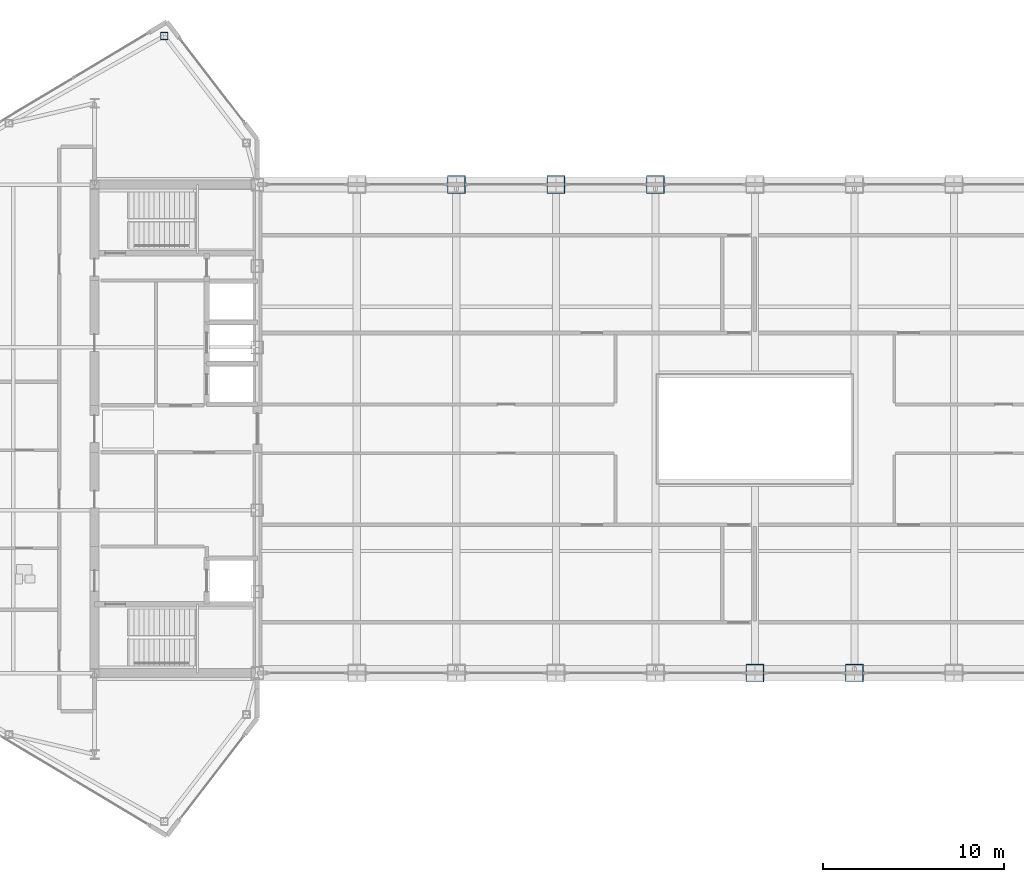
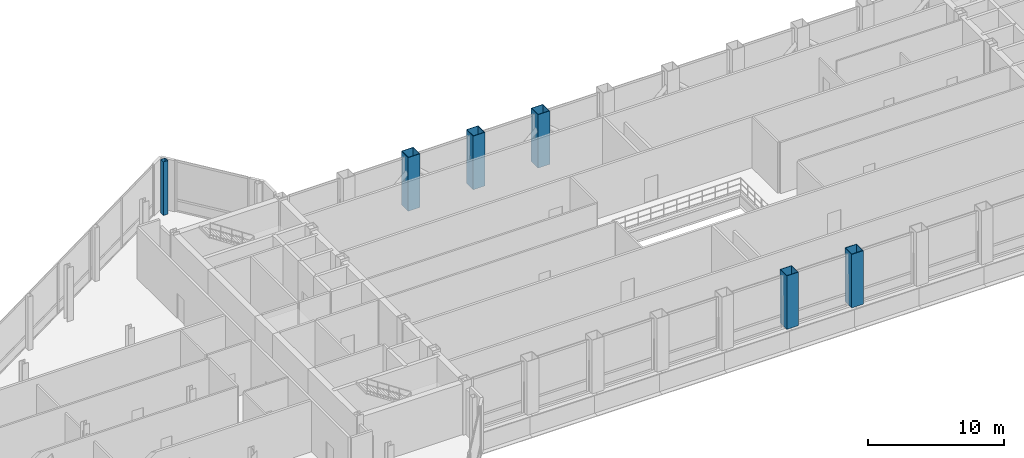
# One storey, part 3 of 30: 6 columns.
"""IFC4 building model written with IfcOpenShell, lengths in metres."""

from ifc_helpers import new_model, si_unit, direction, frame, origin, origin_2d, place, context, subcontext, project, spatial, hollow_rectangle, extrude, source, transform, mapped, material, material_profile, profile_set, type_object, type_shapes, element, save


model = new_model("IFC4")

# Units and contexts
model_context = context("Model", 3, precision=1e-05, world=origin(), true_north=direction((0.0, 1.0)))
body_context = subcontext(model_context, "Body", "Model", "MODEL_VIEW")
ifc_project = project(units=[si_unit("LENGTHUNIT", "METRE"), si_unit("AREAUNIT", "SQUARE_METRE"), si_unit("VOLUMEUNIT", "CUBIC_METRE"), si_unit("PLANEANGLEUNIT", "RADIAN"), si_unit("MASSUNIT", "GRAM", prefix="KILO")], contexts=[model_context])

# Site, building, storey
site_placement = place(None, origin())
site = spatial("IfcSite", under=ifc_project, at=site_placement, CompositionType="ELEMENT")
building_placement = place(site_placement, origin())
building = spatial("IfcBuilding", under=site, at=building_placement, Name="Seokmaru Belvedere", CompositionType="ELEMENT")
storey_placement = place(building_placement, frame((0.0, 0.0, 234.60009765625)))
storey = spatial("IfcBuildingStorey", under=building, at=storey_placement, Name="L62", CompositionType="ELEMENT", Elevation=234.60009765625)

# Columns
ifc_material_1 = material(Name="Steel HSA650 (650 MPa)", Category="steel")
ifc_material_profile_1 = material_profile(ifc_material_1, hollow_rectangle(XDim=1.0, YDim=1.0, WallThickness=0.0419921875, at=origin_2d()), Name="BOX-1000x1000x42")
ifc_profile_set_1 = profile_set([ifc_material_profile_1], Name="Steel HSA650 (650 MPa)")
column_type_1 = type_object("IfcColumnType", Name="Portal Spine Column BOX-1000", PredefinedType="COLUMN", material=ifc_profile_set_1)
shared_shape_1 = source(origin(), body_context, "Body", "SweptSolid", [
    extrude(hollow_rectangle(XDim=1.0, YDim=1.0, WallThickness=0.0419921875, at=origin_2d()), origin(), (0.0, 0.0, 1.0), 4.7998046875),
])
type_shapes(column_type_1, [shared_shape_1])
for number, where, z_axis, x_axis, name in (
    (1, (-16.5, 13.5, 0.0), (0.0, 0.0, 1.0), (1.0, 0.0, 0.0), "L62 Column BRN_2"),
    (2, (-11.0, 13.5, 0.0), (0.0, 0.0, 1.0), (1.0, 0.0, 0.0), "L62 Column BRN_3"),
    (3, (-5.5, 13.5, 0.0), (0.0, 0.0, 1.0), (1.0, 0.0, 0.0), "L62 Column BRN_4"),
    (4, (0.0, -13.5, 0.0), (0.0, 0.0, 1.0), (1.0, 0.0, 0.0), "L62 Column BRS_5"),
    (5, (5.5, -13.5, 0.0), (0.0, 0.0, 1.0), (1.0, 0.0, 0.0), "L62 Column BRS_6"),
):
    element("IfcColumn", number, at=place(storey_placement, frame(where, z_axis=z_axis, x_axis=x_axis)), inside=storey, type_object=column_type_1, Name=name, PredefinedType="COLUMN", context=body_context, shape_type="MappedRepresentation", body=[
        mapped(shared_shape_1, transform((0.0, 0.0, 0.0), scale=1.0)),
    ])
ifc_material_2 = material(Name="Steel SM355 (355 MPa)", Category="steel")
ifc_material_profile_2 = material_profile(ifc_material_2, hollow_rectangle(XDim=0.39990234375, YDim=0.39990234375, WallThickness=0.01611328125, at=origin_2d()), Name="HSS-400x400x16")
ifc_profile_set_2 = profile_set([ifc_material_profile_2], Name="Steel SM355 (355 MPa)")
column_type_2 = type_object("IfcColumnType", Name="Perimeter Facet Column HSS-400", PredefinedType="COLUMN", material=ifc_profile_set_2)
shared_shape_2 = source(origin(), body_context, "Body", "SweptSolid", [
    extrude(hollow_rectangle(XDim=0.39990234375, YDim=0.39990234375, WallThickness=0.01611328125, at=origin_2d()), origin(), (0.0, 0.0, 1.0), 4.7998046875),
])
type_shapes(column_type_2, [shared_shape_2])
column_placement = place(storey_placement, frame((-32.649658203125, 21.71044921875, 0.0), z_axis=(0.0, 0.0, 1.0), x_axis=(1.0, 0.0, 0.0)))
element("IfcColumn", 6, at=column_placement, inside=storey, type_object=column_type_2, Name="L62 Column WF3", PredefinedType="COLUMN", context=body_context, shape_type="MappedRepresentation", body=[
    mapped(shared_shape_2, transform((0.0, 0.0, 0.0), scale=1.0)),
])

save(model, "model.ifc")
